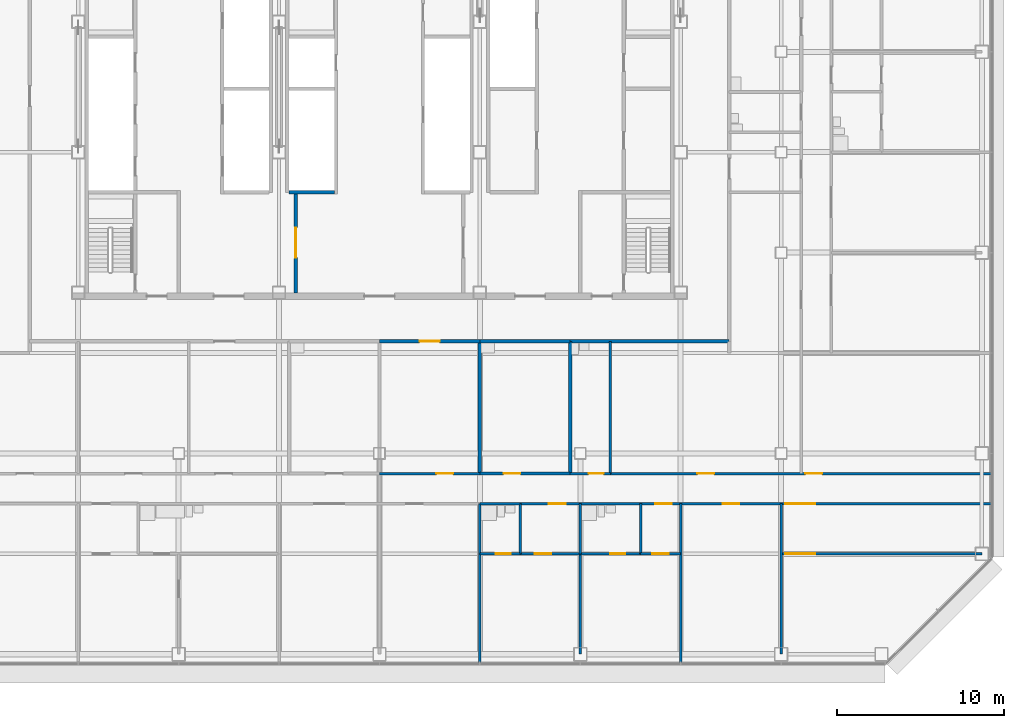
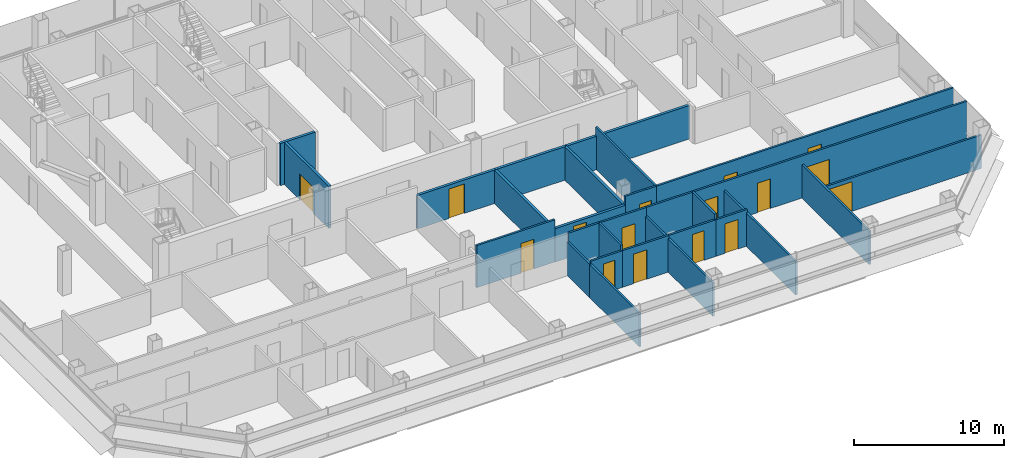
# One storey, part 20 of 25: 29 walls, 16 doors, 16 openings.
"""IFC4 building model written with IfcOpenShell, lengths in metres."""

from ifc_helpers import new_model, si_unit, direction, frame, frame_2d, origin, place, context, subcontext, project, spatial, rectangle, extrude, material, layer, layer_set, type_object, element, fill, save


model = new_model("IFC4")

# Units and contexts
model_context = context("Model", 3, precision=1e-05, world=origin(), true_north=direction((0.0, 1.0)))
body_context = subcontext(model_context, "Body", "Model", "MODEL_VIEW")
ifc_project = project(units=[si_unit("LENGTHUNIT", "METRE"), si_unit("AREAUNIT", "SQUARE_METRE"), si_unit("VOLUMEUNIT", "CUBIC_METRE"), si_unit("PLANEANGLEUNIT", "RADIAN"), si_unit("MASSUNIT", "GRAM", prefix="KILO")], contexts=[model_context])

# Site, building, storey
site_placement = place(None, origin())
site = spatial("IfcSite", under=ifc_project, at=site_placement, CompositionType="ELEMENT")
building_placement = place(site_placement, origin())
building = spatial("IfcBuilding", under=site, at=building_placement, Name="Sorahane Residences", CompositionType="ELEMENT")
storey_placement = place(building_placement, frame((0.0, 0.0, 123.199951171875)))
storey = spatial("IfcBuildingStorey", under=building, at=storey_placement, Name="L27", CompositionType="ELEMENT", Elevation=123.199951171875)

# Wall, opening, door
ifc_material_1 = material(Name="Concrete blockwork C20 wall", Category="masonry")
ifc_layer_1 = layer(ifc_material_1, 0.199951171875)
ifc_layer_set_1 = layer_set([ifc_layer_1], Name="Corridor wall 200 EI 120")
wall_type_1 = type_object("IfcWallType", Name="Corridor wall 200 EI 120", PredefinedType="SOLIDWALL", material=ifc_layer_set_1)
wall_1_placement = place(storey_placement, frame((24.0, 18.699951171875, 0.0), z_axis=(0.0, 0.0, 1.0), x_axis=(1.0, 0.0, 0.0)))
wall_1 = element("IfcWall", 1, at=wall_1_placement, inside=storey, type_object=wall_type_1, Name="L27 corridor wall", PredefinedType="SOLIDWALL", context=body_context, shape_type="SweptSolid", body=[
    extrude(rectangle(XDim=6.0, YDim=0.199951171875, at=frame_2d((3.0, 0.0))), origin(), (0.0, 0.0, 1.0), 2.719970703125),
])
opening_1_placement = place(wall_1_placement, frame((2.39990234375, 0.0, 0.0)))
opening_1 = element("IfcOpeningElement", 2, at=opening_1_placement, cuts=wall_1, Name="Opening L27-41", PredefinedType="OPENING", context=body_context, shape_type="SweptSolid", body=[
    extrude(rectangle(XDim=1.199951171875, YDim=2.39990234375, at=frame_2d((0.60009765625, 1.199951171875))), frame((0.0, 0.10986328125, 0.0), z_axis=(0.0, -1.0, 0.0), x_axis=(1.0, 0.0, 0.0)), (0.0, 0.0, 1.0), 0.219970703125),
])
ifc_material_2 = material(Name="Timber veneered fire door", Category="wood")
door_type_1 = type_object("IfcDoorType", Name="Flat entrance door 1200x2400 FD60", OperationType="NOTDEFINED", PredefinedType="DOOR", material=ifc_material_2)
door_1_placement = place(opening_1_placement, frame((1.199951171875, 0.0, 0.0), z_axis=(0.0, 0.0, 1.0), x_axis=(-1.0, 0.0, 0.0)))
door_1 = element("IfcDoor", 3, at=door_1_placement, inside=storey, type_object=door_type_1, Name="Flat entrance door L27-41", OperationType="SINGLE_SWING_LEFT", OverallHeight=2.39990234375, OverallWidth=1.199951171875, PredefinedType="DOOR", context=body_context, shape_type="SweptSolid", body=[
    extrude(rectangle(XDim=1.199951171875, YDim=2.39990234375, at=frame_2d((0.60009765625, 1.199951171875))), frame((0.0, 0.02490234375, 0.0), z_axis=(0.0, -1.0, 0.0), x_axis=(1.0, 0.0, 0.0)), (0.0, 0.0, 1.0), 0.050048828125),
])
fill(opening_1, door_1)

# Walls
wall_2_placement = place(storey_placement, frame((35.39990234375, 18.699951171875, 0.0), z_axis=(0.0, 0.0, 1.0), x_axis=(1.0, 0.0, 0.0)))
element("IfcWall", 4, at=wall_2_placement, inside=storey, type_object=wall_type_1, Name="L27 corridor wall", PredefinedType="SOLIDWALL", context=body_context, shape_type="SweptSolid", body=[
    extrude(rectangle(XDim=9.5, YDim=0.199951171875, at=frame_2d((4.75, 0.0))), origin(), (0.0, 0.0, 1.0), 2.719970703125),
])
ifc_material_3 = material(Name="Concrete blockwork C20 wall", Category="masonry")
ifc_layer_2 = layer(ifc_material_3, 0.199951171875)
ifc_layer_set_2 = layer_set([ifc_layer_2], Name="Kitchen wall 200 EI 180")
wall_type_2 = type_object("IfcWallType", Name="Kitchen wall 200 EI 180", PredefinedType="SOLIDWALL", material=ifc_layer_set_2)
for number, where, z_axis, x_axis, name in (
    (5, (30.0, 10.800048828125, 0.0), (0.0, 0.0, 1.0), (0.0, 1.0, 0.0), "L27 kitchen wall"),
    (6, (35.39990234375, 10.800048828125, 0.0), (0.0, 0.0, 1.0), (0.0, 1.0, 0.0), "L27 kitchen wall"),
):
    element("IfcWall", number, at=place(storey_placement, frame(where, z_axis=z_axis, x_axis=x_axis)), inside=storey, type_object=wall_type_2, Name=name, PredefinedType="SOLIDWALL", context=body_context, shape_type="SweptSolid", body=[
        extrude(rectangle(XDim=7.89990234375, YDim=0.199951171875, at=frame_2d((3.949951171875, 0.0))), origin(), (0.0, 0.0, 1.0), 2.719970703125),
    ])

# Wall, opening, door
wall_3_placement = place(storey_placement, frame((30.0, 10.800048828125, 0.0), z_axis=(0.0, 0.0, 1.0), x_axis=(1.0, 0.0, 0.0)))
wall_3 = element("IfcWall", 7, at=wall_3_placement, inside=storey, type_object=wall_type_2, Name="L27 kitchen wall", PredefinedType="SOLIDWALL", context=body_context, shape_type="SweptSolid", body=[
    extrude(rectangle(XDim=5.39990234375, YDim=0.199951171875, at=frame_2d((2.699951171875, 0.0))), origin(), (0.0, 0.0, 1.0), 2.719970703125),
])
opening_2_placement = place(wall_3_placement, frame((1.419921875, 0.0, 0.0)))
opening_2 = element("IfcOpeningElement", 8, at=opening_2_placement, cuts=wall_3, Name="Opening L27-14", PredefinedType="OPENING", context=body_context, shape_type="SweptSolid", body=[
    extrude(rectangle(XDim=1.0, YDim=2.39990234375, at=frame_2d((0.5, 1.199951171875))), frame((0.0, 0.10986328125, 0.0), z_axis=(0.0, -1.0, 0.0), x_axis=(1.0, 0.0, 0.0)), (0.0, 0.0, 1.0), 0.219970703125),
])
ifc_material_4 = material(Name="Steel", Category="steel")
door_type_2 = type_object("IfcDoorType", Name="Kitchen door 1000x2400 FD120", OperationType="NOTDEFINED", PredefinedType="DOOR", material=ifc_material_4)
door_2_placement = place(opening_2_placement, origin())
door_2 = element("IfcDoor", 9, at=door_2_placement, inside=storey, type_object=door_type_2, Name="Kitchen door L27-14", OperationType="SINGLE_SWING_RIGHT", OverallHeight=2.39990234375, OverallWidth=1.0, PredefinedType="DOOR", context=body_context, shape_type="SweptSolid", body=[
    extrude(rectangle(XDim=1.0, YDim=2.39990234375, at=frame_2d((0.5, 1.199951171875))), frame((0.0, 0.02490234375, 0.0), z_axis=(0.0, -1.0, 0.0), x_axis=(1.0, 0.0, 0.0)), (0.0, 0.0, 1.0), 0.050048828125),
])
fill(opening_2, door_2)

# Walls
wall_4_placement = place(storey_placement, frame((30.0, 18.699951171875, 0.0), z_axis=(0.0, 0.0, 1.0), x_axis=(1.0, 0.0, 0.0)))
element("IfcWall", 10, at=wall_4_placement, inside=storey, type_object=wall_type_2, Name="L27 kitchen wall", PredefinedType="SOLIDWALL", context=body_context, shape_type="SweptSolid", body=[
    extrude(rectangle(XDim=5.39990234375, YDim=0.199951171875, at=frame_2d((2.699951171875, 0.0))), origin(), (0.0, 0.0, 1.0), 2.719970703125),
])
ifc_material_5 = material(Name="Concrete C30", Category="concrete")
ifc_layer_3 = layer(ifc_material_5, 0.199951171875)
ifc_layer_set_3 = layer_set([ifc_layer_3], Name="Lift shaft wall 200 EI 120")
wall_type_3 = type_object("IfcWallType", Name="Lift shaft wall 200 EI 120", PredefinedType="SOLIDWALL", material=ifc_layer_set_3)
wall_5_placement = place(storey_placement, frame((18.60009765625, 27.60009765625, 0.0), z_axis=(0.0, 0.0, 1.0), x_axis=(1.0, 0.0, 0.0)))
element("IfcWall", 11, at=wall_5_placement, inside=storey, type_object=wall_type_3, Name="L27 lift shaft wall", PredefinedType="SOLIDWALL", context=body_context, shape_type="SweptSolid", body=[
    extrude(rectangle(XDim=2.699951171875, YDim=0.199951171875, at=frame_2d((1.35009765625, 0.0))), origin(), (0.0, 0.0, 1.0), 3.420166015625),
])
ifc_material_6 = material(Name="Gypsum board partition on steel studs", Category="steel")
ifc_layer_4 = layer(ifc_material_6, 0.14990234375)
ifc_layer_set_4 = layer_set([ifc_layer_4], Name="Partition 150 EI 90")
wall_type_4 = type_object("IfcWallType", Name="Partition 150 EI 90", PredefinedType="PARTITIONING", material=ifc_layer_set_4)
wall_6_placement = place(storey_placement, frame((30.0, -0.60009765625, 0.0), z_axis=(0.0, 0.0, 1.0), x_axis=(0.0, 1.0, 0.0)))
element("IfcWall", 12, at=wall_6_placement, inside=storey, type_object=wall_type_4, Name="L27 partition", PredefinedType="PARTITIONING", context=body_context, shape_type="SweptSolid", body=[
    extrude(rectangle(XDim=6.60009765625, YDim=0.14990234375, at=frame_2d((3.300048828125, 0.0))), origin(), (0.0, 0.0, 1.0), 2.719970703125),
])
wall_7_placement = place(storey_placement, frame((36.0, 0.0, 0.0), z_axis=(0.0, 0.0, 1.0), x_axis=(0.0, 1.0, 0.0)))
element("IfcWall", 13, at=wall_7_placement, inside=storey, type_object=wall_type_4, Name="L27 partition", PredefinedType="PARTITIONING", context=body_context, shape_type="SweptSolid", body=[
    extrude(rectangle(XDim=6.0, YDim=0.14990234375, at=frame_2d((3.0, 0.0))), origin(), (0.0, 0.0, 1.0), 2.719970703125),
])
wall_8_placement = place(storey_placement, frame((42.0, -0.60009765625, 0.0), z_axis=(0.0, 0.0, 1.0), x_axis=(0.0, 1.0, 0.0)))
element("IfcWall", 14, at=wall_8_placement, inside=storey, type_object=wall_type_4, Name="L27 partition", PredefinedType="PARTITIONING", context=body_context, shape_type="SweptSolid", body=[
    extrude(rectangle(XDim=9.60009765625, YDim=0.14990234375, at=frame_2d((4.800048828125, 0.0))), origin(), (0.0, 0.0, 1.0), 2.719970703125),
])
wall_9_placement = place(storey_placement, frame((48.0, 0.0, 0.0), z_axis=(0.0, 0.0, 1.0), x_axis=(0.0, 1.0, 0.0)))
element("IfcWall", 15, at=wall_9_placement, inside=storey, type_object=wall_type_4, Name="L27 partition", PredefinedType="PARTITIONING", context=body_context, shape_type="SweptSolid", body=[
    extrude(rectangle(XDim=9.0, YDim=0.14990234375, at=frame_2d((4.5, 0.0))), origin(), (0.0, 0.0, 1.0), 2.719970703125),
])

# Wall, opening, door
wall_10_placement = place(storey_placement, frame((24.0, 10.800048828125, 0.0), z_axis=(0.0, 0.0, 1.0), x_axis=(1.0, 0.0, 0.0)))
wall_10 = element("IfcWall", 16, at=wall_10_placement, inside=storey, type_object=wall_type_4, Name="L27 partition", PredefinedType="PARTITIONING", context=body_context, shape_type="SweptSolid", body=[
    extrude(rectangle(XDim=6.0, YDim=0.14990234375, at=frame_2d((3.0, 0.0))), origin(), (0.0, 0.0, 1.0), 3.420166015625),
])
opening_3_placement = place(wall_10_placement, frame((3.39990234375, 0.0, 0.0)))
opening_3 = element("IfcOpeningElement", 17, at=opening_3_placement, cuts=wall_10, Name="Opening L27-13", PredefinedType="OPENING", context=body_context, shape_type="SweptSolid", body=[
    extrude(rectangle(XDim=1.0, YDim=2.39990234375, at=frame_2d((0.5, 1.199951171875))), frame((0.0, 0.0849609375, 0.0), z_axis=(0.0, -1.0, 0.0), x_axis=(1.0, 0.0, 0.0)), (0.0, 0.0, 1.0), 0.169921875),
])
ifc_material_7 = material(Name="Timber veneered fire door", Category="wood")
door_type_3 = type_object("IfcDoorType", Name="Room door 1000x2400 FD30", OperationType="NOTDEFINED", PredefinedType="DOOR", material=ifc_material_7)
door_3_placement = place(opening_3_placement, frame((1.0, 0.0, 0.0), z_axis=(0.0, 0.0, 1.0), x_axis=(-1.0, 0.0, 0.0)))
door_3 = element("IfcDoor", 18, at=door_3_placement, inside=storey, type_object=door_type_3, Name="Room door L27-13", OperationType="SINGLE_SWING_RIGHT", OverallHeight=2.39990234375, OverallWidth=1.0, PredefinedType="DOOR", context=body_context, shape_type="SweptSolid", body=[
    extrude(rectangle(XDim=1.0, YDim=2.39990234375, at=frame_2d((0.5, 1.199951171875))), frame((0.0, 0.02490234375, 0.0), z_axis=(0.0, -1.0, 0.0), x_axis=(1.0, 0.0, 0.0)), (0.0, 0.0, 1.0), 0.050048828125),
])
fill(opening_3, door_3)

# Wall, openings, doors
wall_11_placement = place(storey_placement, frame((37.800048828125, 10.800048828125, 0.0), z_axis=(0.0, 0.0, 1.0), x_axis=(1.0, 0.0, 0.0)))
wall_11 = element("IfcWall", 19, at=wall_11_placement, inside=storey, type_object=wall_type_4, Name="L27 partition", PredefinedType="PARTITIONING", context=body_context, shape_type="SweptSolid", body=[
    extrude(rectangle(XDim=22.800048828125, YDim=0.14990234375, at=frame_2d((11.39990234375, 0.0))), origin(), (0.0, 0.0, 1.0), 3.420166015625),
])
opening_4_placement = place(wall_11_placement, frame((5.199951171875, 0.0, 0.0)))
opening_4 = element("IfcOpeningElement", 20, at=opening_4_placement, cuts=wall_11, Name="Opening L27-16", PredefinedType="OPENING", context=body_context, shape_type="SweptSolid", body=[
    extrude(rectangle(XDim=1.0, YDim=2.39990234375, at=frame_2d((0.5, 1.199951171875))), frame((0.0, 0.0849609375, 0.0), z_axis=(0.0, -1.0, 0.0), x_axis=(1.0, 0.0, 0.0)), (0.0, 0.0, 1.0), 0.169921875),
])
opening_5_placement = place(wall_11_placement, frame((11.64990234375, 0.0, 0.0)))
opening_5 = element("IfcOpeningElement", 21, at=opening_5_placement, cuts=wall_11, Name="Opening L27-17", PredefinedType="OPENING", context=body_context, shape_type="SweptSolid", body=[
    extrude(rectangle(XDim=1.0, YDim=2.39990234375, at=frame_2d((0.5, 1.199951171875))), frame((0.0, 0.0849609375, 0.0), z_axis=(0.0, -1.0, 0.0), x_axis=(1.0, 0.0, 0.0)), (0.0, 0.0, 1.0), 0.169921875),
])
door_4_placement = place(opening_4_placement, origin())
door_4 = element("IfcDoor", 22, at=door_4_placement, inside=storey, type_object=door_type_3, Name="Room door L27-16", OperationType="SINGLE_SWING_LEFT", OverallHeight=2.39990234375, OverallWidth=1.0, PredefinedType="DOOR", context=body_context, shape_type="SweptSolid", body=[
    extrude(rectangle(XDim=1.0, YDim=2.39990234375, at=frame_2d((0.5, 1.199951171875))), frame((0.0, 0.02490234375, 0.0), z_axis=(0.0, -1.0, 0.0), x_axis=(1.0, 0.0, 0.0)), (0.0, 0.0, 1.0), 0.050048828125),
])
fill(opening_4, door_4)
door_5_placement = place(opening_5_placement, origin())
door_5 = element("IfcDoor", 23, at=door_5_placement, inside=storey, type_object=door_type_3, Name="Room door L27-17", OperationType="SINGLE_SWING_RIGHT", OverallHeight=2.39990234375, OverallWidth=1.0, PredefinedType="DOOR", context=body_context, shape_type="SweptSolid", body=[
    extrude(rectangle(XDim=1.0, YDim=2.39990234375, at=frame_2d((0.5, 1.199951171875))), frame((0.0, 0.02490234375, 0.0), z_axis=(0.0, -1.0, 0.0), x_axis=(1.0, 0.0, 0.0)), (0.0, 0.0, 1.0), 0.050048828125),
])
fill(opening_5, door_5)

# Wall, opening, door
wall_12_placement = place(storey_placement, frame((32.39990234375, 6.0, 0.0), z_axis=(0.0, 0.0, 1.0), x_axis=(1.0, 0.0, 0.0)))
wall_12 = element("IfcWall", 24, at=wall_12_placement, inside=storey, type_object=wall_type_4, Name="L27 partition", PredefinedType="PARTITIONING", context=body_context, shape_type="SweptSolid", body=[
    extrude(rectangle(XDim=3.60009765625, YDim=0.14990234375, at=frame_2d((1.800048828125, 0.0))), origin(), (0.0, 0.0, 1.0), 2.969970703125),
])
opening_6_placement = place(wall_12_placement, frame((0.8798828125, 0.0, 0.0)))
opening_6 = element("IfcOpeningElement", 25, at=opening_6_placement, cuts=wall_12, Name="Opening L27-23", PredefinedType="OPENING", context=body_context, shape_type="SweptSolid", body=[
    extrude(rectangle(XDim=1.0, YDim=2.39990234375, at=frame_2d((0.5, 1.199951171875))), frame((0.0, 0.0849609375, 0.0), z_axis=(0.0, -1.0, 0.0), x_axis=(1.0, 0.0, 0.0)), (0.0, 0.0, 1.0), 0.169921875),
])
door_6_placement = place(opening_6_placement, frame((1.0, 0.0, 0.0), z_axis=(0.0, 0.0, 1.0), x_axis=(-1.0, 0.0, 0.0)))
door_6 = element("IfcDoor", 26, at=door_6_placement, inside=storey, type_object=door_type_3, Name="Room door L27-23", OperationType="SINGLE_SWING_RIGHT", OverallHeight=2.39990234375, OverallWidth=1.0, PredefinedType="DOOR", context=body_context, shape_type="SweptSolid", body=[
    extrude(rectangle(XDim=1.0, YDim=2.39990234375, at=frame_2d((0.5, 1.199951171875))), frame((0.0, 0.02490234375, 0.0), z_axis=(0.0, -1.0, 0.0), x_axis=(1.0, 0.0, 0.0)), (0.0, 0.0, 1.0), 0.050048828125),
])
fill(opening_6, door_6)

wall_13_placement = place(storey_placement, frame((39.60009765625, 6.0, 0.0), z_axis=(0.0, 0.0, 1.0), x_axis=(1.0, 0.0, 0.0)))
wall_13 = element("IfcWall", 27, at=wall_13_placement, inside=storey, type_object=wall_type_4, Name="L27 partition", PredefinedType="PARTITIONING", context=body_context, shape_type="SweptSolid", body=[
    extrude(rectangle(XDim=2.39990234375, YDim=0.14990234375, at=frame_2d((1.199951171875, 0.0))), origin(), (0.0, 0.0, 1.0), 2.969970703125),
])
opening_7_placement = place(wall_13_placement, frame((0.699951171875, 0.0, 0.0)))
opening_7 = element("IfcOpeningElement", 28, at=opening_7_placement, cuts=wall_13, Name="Opening L27-25", PredefinedType="OPENING", context=body_context, shape_type="SweptSolid", body=[
    extrude(rectangle(XDim=1.0, YDim=2.39990234375, at=frame_2d((0.5, 1.199951171875))), frame((0.0, 0.0849609375, 0.0), z_axis=(0.0, -1.0, 0.0), x_axis=(1.0, 0.0, 0.0)), (0.0, 0.0, 1.0), 0.169921875),
])
door_7_placement = place(opening_7_placement, frame((1.0, 0.0, 0.0), z_axis=(0.0, 0.0, 1.0), x_axis=(-1.0, 0.0, 0.0)))
door_7 = element("IfcDoor", 29, at=door_7_placement, inside=storey, type_object=door_type_3, Name="Room door L27-25", OperationType="SINGLE_SWING_LEFT", OverallHeight=2.39990234375, OverallWidth=1.0, PredefinedType="DOOR", context=body_context, shape_type="SweptSolid", body=[
    extrude(rectangle(XDim=1.0, YDim=2.39990234375, at=frame_2d((0.5, 1.199951171875))), frame((0.0, 0.02490234375, 0.0), z_axis=(0.0, -1.0, 0.0), x_axis=(1.0, 0.0, 0.0)), (0.0, 0.0, 1.0), 0.050048828125),
])
fill(opening_7, door_7)

wall_14_placement = place(storey_placement, frame((48.0, 6.0, 0.0), z_axis=(0.0, 0.0, 1.0), x_axis=(1.0, 0.0, 0.0)))
wall_14 = element("IfcWall", 30, at=wall_14_placement, inside=storey, type_object=wall_type_4, Name="L27 partition", PredefinedType="PARTITIONING", context=body_context, shape_type="SweptSolid", body=[
    extrude(rectangle(XDim=12.0, YDim=0.14990234375, at=frame_2d((6.0, 0.0))), origin(), (0.0, 0.0, 1.0), 2.719970703125),
])
opening_8_placement = place(wall_14_placement, frame((0.25, 0.0, 0.0)))
opening_8 = element("IfcOpeningElement", 31, at=opening_8_placement, cuts=wall_14, Name="Opening L27-27", PredefinedType="OPENING", context=body_context, shape_type="SweptSolid", body=[
    extrude(rectangle(XDim=1.800048828125, YDim=2.39990234375, at=frame_2d((0.89990234375, 1.199951171875))), frame((0.0, 0.0849609375, 0.0), z_axis=(0.0, -1.0, 0.0), x_axis=(1.0, 0.0, 0.0)), (0.0, 0.0, 1.0), 0.169921875),
])
ifc_material_8 = material(Name="Timber veneered fire door", Category="wood")
door_type_4 = type_object("IfcDoorType", Name="Double door 1800x2400 FD30", OperationType="NOTDEFINED", PredefinedType="DOOR", material=ifc_material_8)
door_8_placement = place(opening_8_placement, frame((1.800048828125, 0.0, 0.0), z_axis=(0.0, 0.0, 1.0), x_axis=(-1.0, 0.0, 0.0)))
door_8 = element("IfcDoor", 32, at=door_8_placement, inside=storey, type_object=door_type_4, Name="Double door L27-27", OperationType="SINGLE_SWING_LEFT", OverallHeight=2.39990234375, OverallWidth=1.800048828125, PredefinedType="DOOR", context=body_context, shape_type="SweptSolid", body=[
    extrude(rectangle(XDim=1.800048828125, YDim=2.39990234375, at=frame_2d((0.89990234375, 1.199951171875))), frame((0.0, 0.02490234375, 0.0), z_axis=(0.0, -1.0, 0.0), x_axis=(1.0, 0.0, 0.0)), (0.0, 0.0, 1.0), 0.050048828125),
])
fill(opening_8, door_8)

wall_15_placement = place(storey_placement, frame((32.39990234375, 9.0, 0.0), z_axis=(0.0, 0.0, 1.0), x_axis=(1.0, 0.0, 0.0)))
wall_15 = element("IfcWall", 33, at=wall_15_placement, inside=storey, type_object=wall_type_4, Name="L27 partition", PredefinedType="PARTITIONING", context=body_context, shape_type="SweptSolid", body=[
    extrude(rectangle(XDim=3.60009765625, YDim=0.14990234375, at=frame_2d((1.800048828125, 0.0))), origin(), (0.0, 0.0, 1.0), 3.420166015625),
])
opening_9_placement = place(wall_15_placement, frame((1.719970703125, 0.0, 0.0)))
opening_9 = element("IfcOpeningElement", 34, at=opening_9_placement, cuts=wall_15, Name="Opening L27-19", PredefinedType="OPENING", context=body_context, shape_type="SweptSolid", body=[
    extrude(rectangle(XDim=1.0, YDim=2.39990234375, at=frame_2d((0.5, 1.199951171875))), frame((0.0, 0.0849609375, 0.0), z_axis=(0.0, -1.0, 0.0), x_axis=(1.0, 0.0, 0.0)), (0.0, 0.0, 1.0), 0.169921875),
])
door_9_placement = place(opening_9_placement, frame((1.0, 0.0, 0.0), z_axis=(0.0, 0.0, 1.0), x_axis=(-1.0, 0.0, 0.0)))
door_9 = element("IfcDoor", 35, at=door_9_placement, inside=storey, type_object=door_type_3, Name="Room door L27-19", OperationType="SINGLE_SWING_LEFT", OverallHeight=2.39990234375, OverallWidth=1.0, PredefinedType="DOOR", context=body_context, shape_type="SweptSolid", body=[
    extrude(rectangle(XDim=1.0, YDim=2.39990234375, at=frame_2d((0.5, 1.199951171875))), frame((0.0, 0.02490234375, 0.0), z_axis=(0.0, -1.0, 0.0), x_axis=(1.0, 0.0, 0.0)), (0.0, 0.0, 1.0), 0.050048828125),
])
fill(opening_9, door_9)

# Wall, openings, doors
wall_16_placement = place(storey_placement, frame((39.60009765625, 9.0, 0.0), z_axis=(0.0, 0.0, 1.0), x_axis=(1.0, 0.0, 0.0)))
wall_16 = element("IfcWall", 36, at=wall_16_placement, inside=storey, type_object=wall_type_4, Name="L27 partition", PredefinedType="PARTITIONING", context=body_context, shape_type="SweptSolid", body=[
    extrude(rectangle(XDim=21.0, YDim=0.14990234375, at=frame_2d((10.5, 0.0))), origin(), (0.0, 0.0, 1.0), 3.420166015625),
])
opening_10_placement = place(wall_16_placement, frame((0.8798828125, 0.0, 0.0)))
opening_10 = element("IfcOpeningElement", 37, at=opening_10_placement, cuts=wall_16, Name="Opening L27-20", PredefinedType="OPENING", context=body_context, shape_type="SweptSolid", body=[
    extrude(rectangle(XDim=1.0, YDim=2.39990234375, at=frame_2d((0.5, 1.199951171875))), frame((0.0, 0.0849609375, 0.0), z_axis=(0.0, -1.0, 0.0), x_axis=(1.0, 0.0, 0.0)), (0.0, 0.0, 1.0), 0.169921875),
])
opening_11_placement = place(wall_16_placement, frame((4.89990234375, 0.0, 0.0)))
opening_11 = element("IfcOpeningElement", 38, at=opening_11_placement, cuts=wall_16, Name="Opening L27-21", PredefinedType="OPENING", context=body_context, shape_type="SweptSolid", body=[
    extrude(rectangle(XDim=1.0, YDim=2.39990234375, at=frame_2d((0.5, 1.199951171875))), frame((0.0, 0.0849609375, 0.0), z_axis=(0.0, -1.0, 0.0), x_axis=(1.0, 0.0, 0.0)), (0.0, 0.0, 1.0), 0.169921875),
])
opening_12_placement = place(wall_16_placement, frame((8.64990234375, 0.0, 0.0)))
opening_12 = element("IfcOpeningElement", 39, at=opening_12_placement, cuts=wall_16, Name="Opening L27-22", PredefinedType="OPENING", context=body_context, shape_type="SweptSolid", body=[
    extrude(rectangle(XDim=1.800048828125, YDim=2.39990234375, at=frame_2d((0.89990234375, 1.199951171875))), frame((0.0, 0.0849609375, 0.0), z_axis=(0.0, -1.0, 0.0), x_axis=(1.0, 0.0, 0.0)), (0.0, 0.0, 1.0), 0.169921875),
])
door_10_placement = place(opening_12_placement, frame((1.800048828125, 0.0, 0.0), z_axis=(0.0, 0.0, 1.0), x_axis=(-1.0, 0.0, 0.0)))
door_10 = element("IfcDoor", 40, at=door_10_placement, inside=storey, type_object=door_type_4, Name="Double door L27-22", OperationType="SINGLE_SWING_LEFT", OverallHeight=2.39990234375, OverallWidth=1.800048828125, PredefinedType="DOOR", context=body_context, shape_type="SweptSolid", body=[
    extrude(rectangle(XDim=1.800048828125, YDim=2.39990234375, at=frame_2d((0.89990234375, 1.199951171875))), frame((0.0, 0.02490234375, 0.0), z_axis=(0.0, -1.0, 0.0), x_axis=(1.0, 0.0, 0.0)), (0.0, 0.0, 1.0), 0.050048828125),
])
fill(opening_12, door_10)
door_11_placement = place(opening_10_placement, frame((1.0, 0.0, 0.0), z_axis=(0.0, 0.0, 1.0), x_axis=(-1.0, 0.0, 0.0)))
door_11 = element("IfcDoor", 41, at=door_11_placement, inside=storey, type_object=door_type_3, Name="Room door L27-20", OperationType="SINGLE_SWING_LEFT", OverallHeight=2.39990234375, OverallWidth=1.0, PredefinedType="DOOR", context=body_context, shape_type="SweptSolid", body=[
    extrude(rectangle(XDim=1.0, YDim=2.39990234375, at=frame_2d((0.5, 1.199951171875))), frame((0.0, 0.02490234375, 0.0), z_axis=(0.0, -1.0, 0.0), x_axis=(1.0, 0.0, 0.0)), (0.0, 0.0, 1.0), 0.050048828125),
])
fill(opening_10, door_11)
door_12_placement = place(opening_11_placement, frame((1.0, 0.0, 0.0), z_axis=(0.0, 0.0, 1.0), x_axis=(-1.0, 0.0, 0.0)))
door_12 = element("IfcDoor", 42, at=door_12_placement, inside=storey, type_object=door_type_3, Name="Room door L27-21", OperationType="SINGLE_SWING_RIGHT", OverallHeight=2.39990234375, OverallWidth=1.0, PredefinedType="DOOR", context=body_context, shape_type="SweptSolid", body=[
    extrude(rectangle(XDim=1.0, YDim=2.39990234375, at=frame_2d((0.5, 1.199951171875))), frame((0.0, 0.02490234375, 0.0), z_axis=(0.0, -1.0, 0.0), x_axis=(1.0, 0.0, 0.0)), (0.0, 0.0, 1.0), 0.050048828125),
])
fill(opening_11, door_12)

# Wall, opening, door
ifc_material_9 = material(Name="Concrete C30", Category="concrete")
ifc_layer_5 = layer(ifc_material_9, 0.199951171875)
ifc_layer_set_5 = layer_set([ifc_layer_5], Name="Service room partition 200 EI 60")
wall_type_5 = type_object("IfcWallType", Name="Service room partition 200 EI 60", PredefinedType="PARTITIONING", material=ifc_layer_set_5)
wall_17_placement = place(storey_placement, frame((19.0, 21.60009765625, 0.0), z_axis=(0.0, 0.0, 1.0), x_axis=(0.0, 1.0, 0.0)))
wall_17 = element("IfcWall", 43, at=wall_17_placement, inside=storey, type_object=wall_type_5, Name="L27 service room wall", PredefinedType="PARTITIONING", context=body_context, shape_type="SweptSolid", body=[
    extrude(rectangle(XDim=6.0, YDim=0.199951171875, at=frame_2d((3.0, 0.0))), origin(), (0.0, 0.0, 1.0), 3.420166015625),
])
opening_13_placement = place(wall_17_placement, frame((2.10009765625, 0.0, 0.0)))
opening_13 = element("IfcOpeningElement", 44, at=opening_13_placement, cuts=wall_17, Name="Opening L27-C02", PredefinedType="OPENING", context=body_context, shape_type="SweptSolid", body=[
    extrude(rectangle(XDim=1.800048828125, YDim=2.10009765625, at=frame_2d((0.89990234375, 1.050048828125))), frame((0.0, 0.10986328125, 0.0), z_axis=(0.0, -1.0, 0.0), x_axis=(1.0, 0.0, 0.0)), (0.0, 0.0, 1.0), 0.219970703125),
])
ifc_material_10 = material(Name="Steel", Category="steel")
door_type_5 = type_object("IfcDoorType", Name="Waiting hall door 1800x2100 FD60", OperationType="NOTDEFINED", PredefinedType="DOOR", material=ifc_material_10)
door_13_placement = place(opening_13_placement, origin())
door_13 = element("IfcDoor", 45, at=door_13_placement, inside=storey, type_object=door_type_5, Name="Waiting hall door Residents' waiting hall west L27", OperationType="SINGLE_SWING_LEFT", OverallHeight=2.10009765625, OverallWidth=1.800048828125, PredefinedType="DOOR", context=body_context, shape_type="SweptSolid", body=[
    extrude(rectangle(XDim=1.800048828125, YDim=2.10009765625, at=frame_2d((0.89990234375, 1.050048828125))), frame((0.0, 0.02490234375, 0.0), z_axis=(0.0, -1.0, 0.0), x_axis=(1.0, 0.0, 0.0)), (0.0, 0.0, 1.0), 0.050048828125),
])
fill(opening_13, door_13)

# Walls
ifc_material_11 = material(Name="Gypsum board partition on steel studs", Category="steel")
ifc_layer_6 = layer(ifc_material_11, 0.14990234375)
ifc_layer_set_6 = layer_set([ifc_layer_6], Name="Wet wall 150 EI 90")
wall_type_6 = type_object("IfcWallType", Name="Wet wall 150 EI 90", PredefinedType="PARTITIONING", material=ifc_layer_set_6)
wall_18_placement = place(storey_placement, frame((30.0, 6.0, 0.0), z_axis=(0.0, 0.0, 1.0), x_axis=(0.0, 1.0, 0.0)))
element("IfcWall", 46, at=wall_18_placement, inside=storey, type_object=wall_type_6, Name="L27 wet wall", PredefinedType="PARTITIONING", context=body_context, shape_type="SweptSolid", body=[
    extrude(rectangle(XDim=3.0, YDim=0.14990234375, at=frame_2d((1.5, 0.0))), origin(), (0.0, 0.0, 1.0), 2.719970703125),
])
wall_19_placement = place(storey_placement, frame((32.39990234375, 6.0, 0.0), z_axis=(0.0, 0.0, 1.0), x_axis=(0.0, 1.0, 0.0)))
element("IfcWall", 47, at=wall_19_placement, inside=storey, type_object=wall_type_6, Name="L27 wet wall", PredefinedType="PARTITIONING", context=body_context, shape_type="SweptSolid", body=[
    extrude(rectangle(XDim=3.0, YDim=0.14990234375, at=frame_2d((1.5, 0.0))), origin(), (0.0, 0.0, 1.0), 3.420166015625),
])
wall_20_placement = place(storey_placement, frame((36.0, 6.0, 0.0), z_axis=(0.0, 0.0, 1.0), x_axis=(0.0, 1.0, 0.0)))
element("IfcWall", 48, at=wall_20_placement, inside=storey, type_object=wall_type_6, Name="L27 wet wall", PredefinedType="PARTITIONING", context=body_context, shape_type="SweptSolid", body=[
    extrude(rectangle(XDim=3.0, YDim=0.14990234375, at=frame_2d((1.5, 0.0))), origin(), (0.0, 0.0, 1.0), 2.719970703125),
])
wall_21_placement = place(storey_placement, frame((37.800048828125, 10.800048828125, 0.0), z_axis=(0.0, 0.0, 1.0), x_axis=(0.0, 1.0, 0.0)))
element("IfcWall", 49, at=wall_21_placement, inside=storey, type_object=wall_type_6, Name="L27 wet wall", PredefinedType="PARTITIONING", context=body_context, shape_type="SweptSolid", body=[
    extrude(rectangle(XDim=7.89990234375, YDim=0.14990234375, at=frame_2d((3.949951171875, 0.0))), origin(), (0.0, 0.0, 1.0), 3.420166015625),
])
wall_22_placement = place(storey_placement, frame((39.60009765625, 6.0, 0.0), z_axis=(0.0, 0.0, 1.0), x_axis=(0.0, 1.0, 0.0)))
element("IfcWall", 50, at=wall_22_placement, inside=storey, type_object=wall_type_6, Name="L27 wet wall", PredefinedType="PARTITIONING", context=body_context, shape_type="SweptSolid", body=[
    extrude(rectangle(XDim=3.0, YDim=0.14990234375, at=frame_2d((1.5, 0.0))), origin(), (0.0, 0.0, 1.0), 3.420166015625),
])

# Wall, opening, door
wall_23_placement = place(storey_placement, frame((35.39990234375, 10.800048828125, 0.0), z_axis=(0.0, 0.0, 1.0), x_axis=(1.0, 0.0, 0.0)))
wall_23 = element("IfcWall", 51, at=wall_23_placement, inside=storey, type_object=wall_type_6, Name="L27 wet wall", PredefinedType="PARTITIONING", context=body_context, shape_type="SweptSolid", body=[
    extrude(rectangle(XDim=2.400146484375, YDim=0.14990234375, at=frame_2d((1.2001953125, 0.0))), origin(), (0.0, 0.0, 1.0), 3.420166015625),
])
opening_14_placement = place(wall_23_placement, frame((1.10009765625, 0.0, 0.0)))
opening_14 = element("IfcOpeningElement", 52, at=opening_14_placement, cuts=wall_23, Name="Opening L27-15", PredefinedType="OPENING", context=body_context, shape_type="SweptSolid", body=[
    extrude(rectangle(XDim=0.89990234375, YDim=2.39990234375, at=frame_2d((0.449951171875, 1.199951171875))), frame((0.0, 0.0849609375, 0.0), z_axis=(0.0, -1.0, 0.0), x_axis=(1.0, 0.0, 0.0)), (0.0, 0.0, 1.0), 0.169921875),
])
ifc_material_12 = material(Name="Timber veneered fire door", Category="wood")
door_type_6 = type_object("IfcDoorType", Name="Bathroom door 900x2400 FD30", OperationType="NOTDEFINED", PredefinedType="DOOR", material=ifc_material_12)
door_14_placement = place(opening_14_placement, frame((0.89990234375, 0.0, 0.0), z_axis=(0.0, 0.0, 1.0), x_axis=(-1.0, 0.0, 0.0)))
door_14 = element("IfcDoor", 53, at=door_14_placement, inside=storey, type_object=door_type_6, Name="Bathroom door L27-15", OperationType="SINGLE_SWING_RIGHT", OverallHeight=2.39990234375, OverallWidth=0.89990234375, PredefinedType="DOOR", context=body_context, shape_type="SweptSolid", body=[
    extrude(rectangle(XDim=0.89990234375, YDim=2.39990234375, at=frame_2d((0.449951171875, 1.199951171875))), frame((0.0, 0.02490234375, 0.0), z_axis=(0.0, -1.0, 0.0), x_axis=(1.0, 0.0, 0.0)), (0.0, 0.0, 1.0), 0.050048828125),
])
fill(opening_14, door_14)

wall_24_placement = place(storey_placement, frame((30.0, 6.0, 0.0), z_axis=(0.0, 0.0, 1.0), x_axis=(1.0, 0.0, 0.0)))
wall_24 = element("IfcWall", 54, at=wall_24_placement, inside=storey, type_object=wall_type_6, Name="L27 wet wall", PredefinedType="PARTITIONING", context=body_context, shape_type="SweptSolid", body=[
    extrude(rectangle(XDim=2.39990234375, YDim=0.14990234375, at=frame_2d((1.199951171875, 0.0))), origin(), (0.0, 0.0, 1.0), 2.969970703125),
])
opening_15_placement = place(wall_24_placement, frame((0.949951171875, 0.0, 0.0)))
opening_15 = element("IfcOpeningElement", 55, at=opening_15_placement, cuts=wall_24, Name="Opening L27-24", PredefinedType="OPENING", context=body_context, shape_type="SweptSolid", body=[
    extrude(rectangle(XDim=0.89990234375, YDim=2.39990234375, at=frame_2d((0.449951171875, 1.199951171875))), frame((0.0, 0.0849609375, 0.0), z_axis=(0.0, -1.0, 0.0), x_axis=(1.0, 0.0, 0.0)), (0.0, 0.0, 1.0), 0.169921875),
])
door_15_placement = place(opening_15_placement, frame((0.89990234375, 0.0, 0.0), z_axis=(0.0, 0.0, 1.0), x_axis=(-1.0, 0.0, 0.0)))
door_15 = element("IfcDoor", 56, at=door_15_placement, inside=storey, type_object=door_type_6, Name="Bathroom door L27-24", OperationType="SINGLE_SWING_RIGHT", OverallHeight=2.39990234375, OverallWidth=0.89990234375, PredefinedType="DOOR", context=body_context, shape_type="SweptSolid", body=[
    extrude(rectangle(XDim=0.89990234375, YDim=2.39990234375, at=frame_2d((0.449951171875, 1.199951171875))), frame((0.0, 0.02490234375, 0.0), z_axis=(0.0, -1.0, 0.0), x_axis=(1.0, 0.0, 0.0)), (0.0, 0.0, 1.0), 0.050048828125),
])
fill(opening_15, door_15)

wall_25_placement = place(storey_placement, frame((36.0, 6.0, 0.0), z_axis=(0.0, 0.0, 1.0), x_axis=(1.0, 0.0, 0.0)))
wall_25 = element("IfcWall", 57, at=wall_25_placement, inside=storey, type_object=wall_type_6, Name="L27 wet wall", PredefinedType="PARTITIONING", context=body_context, shape_type="SweptSolid", body=[
    extrude(rectangle(XDim=3.60009765625, YDim=0.14990234375, at=frame_2d((1.800048828125, 0.0))), origin(), (0.0, 0.0, 1.0), 2.969970703125),
])
opening_16_placement = place(wall_25_placement, frame((1.7900390625, 0.0, 0.0)))
opening_16 = element("IfcOpeningElement", 58, at=opening_16_placement, cuts=wall_25, Name="Opening L27-26", PredefinedType="OPENING", context=body_context, shape_type="SweptSolid", body=[
    extrude(rectangle(XDim=0.89990234375, YDim=2.39990234375, at=frame_2d((0.449951171875, 1.199951171875))), frame((0.0, 0.0849609375, 0.0), z_axis=(0.0, -1.0, 0.0), x_axis=(1.0, 0.0, 0.0)), (0.0, 0.0, 1.0), 0.169921875),
])
door_16_placement = place(opening_16_placement, frame((0.89990234375, 0.0, 0.0), z_axis=(0.0, 0.0, 1.0), x_axis=(-1.0, 0.0, 0.0)))
door_16 = element("IfcDoor", 59, at=door_16_placement, inside=storey, type_object=door_type_6, Name="Bathroom door L27-26", OperationType="SINGLE_SWING_LEFT", OverallHeight=2.39990234375, OverallWidth=0.89990234375, PredefinedType="DOOR", context=body_context, shape_type="SweptSolid", body=[
    extrude(rectangle(XDim=0.89990234375, YDim=2.39990234375, at=frame_2d((0.449951171875, 1.199951171875))), frame((0.0, 0.02490234375, 0.0), z_axis=(0.0, -1.0, 0.0), x_axis=(1.0, 0.0, 0.0)), (0.0, 0.0, 1.0), 0.050048828125),
])
fill(opening_16, door_16)

# Walls
wall_26_placement = place(storey_placement, frame((30.0, 9.0, 0.0), z_axis=(0.0, 0.0, 1.0), x_axis=(1.0, 0.0, 0.0)))
element("IfcWall", 60, at=wall_26_placement, inside=storey, type_object=wall_type_6, Name="L27 wet wall", PredefinedType="PARTITIONING", context=body_context, shape_type="SweptSolid", body=[
    extrude(rectangle(XDim=2.39990234375, YDim=0.14990234375, at=frame_2d((1.199951171875, 0.0))), origin(), (0.0, 0.0, 1.0), 3.420166015625),
])
wall_27_placement = place(storey_placement, frame((36.0, 9.0, 0.0), z_axis=(0.0, 0.0, 1.0), x_axis=(1.0, 0.0, 0.0)))
element("IfcWall", 61, at=wall_27_placement, inside=storey, type_object=wall_type_6, Name="L27 wet wall", PredefinedType="PARTITIONING", context=body_context, shape_type="SweptSolid", body=[
    extrude(rectangle(XDim=3.60009765625, YDim=0.14990234375, at=frame_2d((1.800048828125, 0.0))), origin(), (0.0, 0.0, 1.0), 3.420166015625),
])

save(model, "model.ifc")
